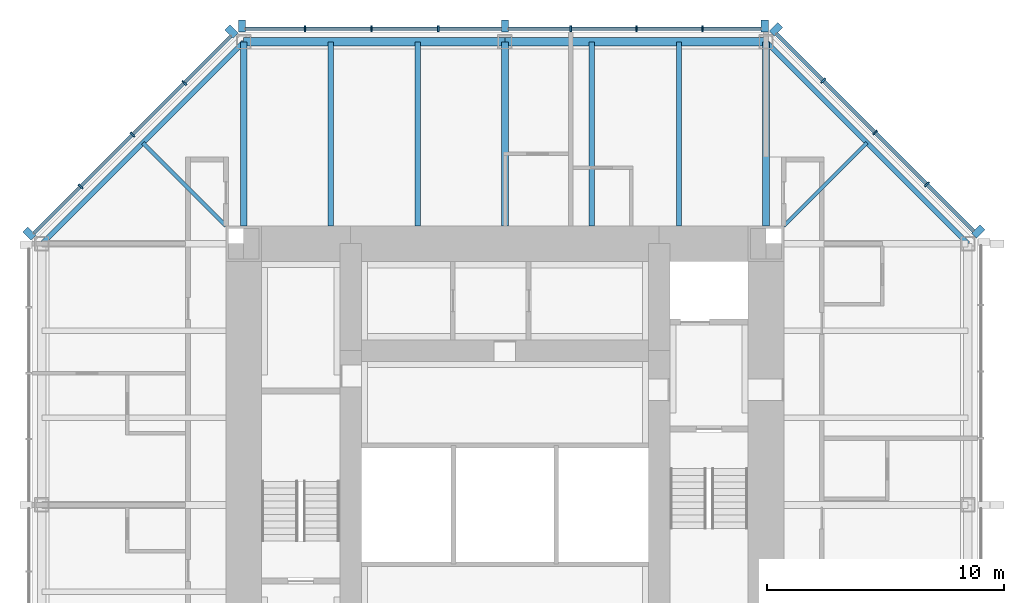
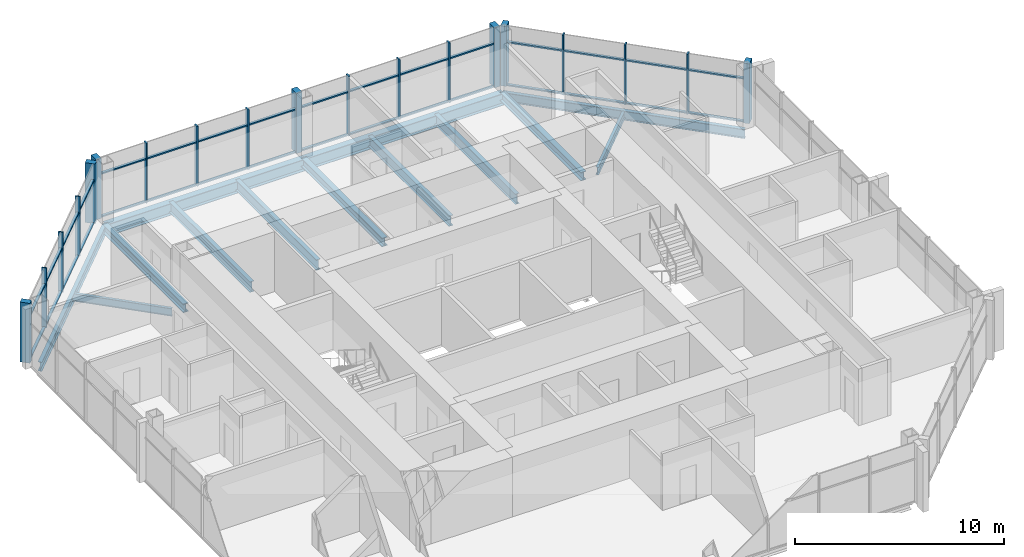
# One storey, part 5 of 11: 51 members, 13 beams, 3 elements without a shape of their own.
"""IFC4 building model written with IfcOpenShell, lengths in metres."""

from ifc_helpers import new_model, si_unit, direction, frame, origin, origin_2d, place, context, subcontext, project, spatial, rectangle, i_section, extrude, material, material_profile, profile_set, type_object, element, aggregate, save


model = new_model("IFC4")

# Units and contexts
model_context = context("Model", 3, precision=1e-05, world=origin(), true_north=direction((0.0, 1.0)))
body_context = subcontext(model_context, "Body", "Model", "MODEL_VIEW")
ifc_project = project(units=[si_unit("LENGTHUNIT", "METRE"), si_unit("AREAUNIT", "SQUARE_METRE"), si_unit("VOLUMEUNIT", "CUBIC_METRE"), si_unit("PLANEANGLEUNIT", "RADIAN"), si_unit("MASSUNIT", "GRAM", prefix="KILO")], contexts=[model_context])

# Site, building, storey
site_placement = place(None, origin())
site = spatial("IfcSite", under=ifc_project, at=site_placement, CompositionType="ELEMENT")
building_placement = place(site_placement, origin())
building = spatial("IfcBuilding", under=site, at=building_placement, Name="Trevanion Tower", CompositionType="ELEMENT")
storey_placement = place(building_placement, frame((0.0, 0.0, 246.699951171875)))
storey = spatial("IfcBuildingStorey", under=building, at=storey_placement, Name="L60", CompositionType="ELEMENT", Elevation=246.699951171875)

# Beams
ifc_material_1 = material(Name="Steel ASTM A992 Grade 50", Category="steel")
ifc_material_profile_1 = material_profile(ifc_material_1, i_section(OverallWidth=0.228271484375, OverallDepth=0.607177734375, WebThickness=0.01123046875, FlangeThickness=0.017333984375, at=origin_2d()), Name="W24X76")
ifc_profile_set_1 = profile_set([ifc_material_profile_1], Name="Steel ASTM A992 Grade 50")
beam_type_1 = type_object("IfcBeamType", Name="B11 W24X76", PredefinedType="BEAM", material=ifc_profile_set_1)
for number, where, z_axis, x_axis, name in (
    (1, (7.333251953125, 11.75, -0.493408203125), (0.0, 1.0, 0.0), (-1.0, 0.0, 0.0), "B11 L60"),
    (2, (3.666748046875, 11.75, -0.493408203125), (0.0, 1.0, 0.0), (-1.0, 0.0, 0.0), "B11 L60"),
    (3, (-3.666748046875, 11.75, -0.493408203125), (0.0, 1.0, 0.0), (-1.0, 0.0, 0.0), "B11 L60"),
    (4, (-7.333251953125, 11.75, -0.493408203125), (0.0, 1.0, 0.0), (-1.0, 0.0, 0.0), "B11 L60"),
):
    element("IfcBeam", number, at=place(storey_placement, frame(where, z_axis=z_axis, x_axis=x_axis)), inside=storey, type_object=beam_type_1, Name=name, PredefinedType="BEAM", context=body_context, shape_type="SweptSolid", body=[
        extrude(i_section(OverallWidth=0.228271484375, OverallDepth=0.607177734375, WebThickness=0.01123046875, FlangeThickness=0.017333984375, at=origin_2d()), origin(), (0.0, 0.0, 1.0), 7.75),
    ])
ifc_material_2 = material(Name="Steel ASTM A992 Grade 50", Category="steel")
ifc_material_profile_2 = material_profile(ifc_material_2, i_section(OverallWidth=0.15234375, OverallDepth=0.449462890625, WebThickness=0.007568359375, FlangeThickness=0.0107421875, at=origin_2d()), Name="W18X35")
ifc_profile_set_2 = profile_set([ifc_material_profile_2], Name="Steel ASTM A992 Grade 50")
beam_type_2 = type_object("IfcBeamType", Name="B12 W18X35", PredefinedType="BEAM", material=ifc_profile_set_2)
for number, where, z_axis, x_axis, name in (
    (5, (11.75, 11.75, -0.414794921875), (0.707106781187, 0.707106781187, 0.0), (-0.707106781187, 0.707106781187, 0.0), "B12 L60"),
    (6, (-11.75, 11.75, -0.414794921875), (-0.707106781187, 0.707106781187, 0.0), (-0.707106781187, -0.707106781187, 0.0), "B12 L60"),
):
    element("IfcBeam", number, at=place(storey_placement, frame(where, z_axis=z_axis, x_axis=x_axis)), inside=storey, type_object=beam_type_2, Name=name, PredefinedType="BEAM", context=body_context, shape_type="SweptSolid", body=[
        extrude(i_section(OverallWidth=0.15234375, OverallDepth=0.449462890625, WebThickness=0.007568359375, FlangeThickness=0.0107421875, at=origin_2d()), origin(), (0.0, 0.0, 1.0), 4.94970703125),
    ])

# Curtain wall, members
ifc_material_3 = material(Name="Aluminium and glass", Category="aluminium")
curtain_wall_type = type_object("IfcCurtainWallType", Name="CW3 curtain wall", PredefinedType="USERDEFINED", material=ifc_material_3)
curtain_wall_1_placement = place(storey_placement, origin())
curtain_wall_1 = element("IfcCurtainWall", 7, at=curtain_wall_1_placement, inside=storey, type_object=curtain_wall_type, Name="CW3 L60 1", ObjectType="UNITISED CURTAIN WALL", PredefinedType="USERDEFINED")
ifc_material_4 = material(Name="Aluminium extrusion, anodised bronze", Category="aluminium")
ifc_material_profile_3 = material_profile(ifc_material_4, rectangle(XDim=0.074951171875, YDim=0.25, at=origin_2d()), Name="CW3 mullion")
ifc_profile_set_3 = profile_set([ifc_material_profile_3], Name="Aluminium extrusion, anodised bronze")
member_type_1 = type_object("IfcMemberType", Name="CW3 mullion", PredefinedType="MULLION", material=ifc_profile_set_3)
member_1_placement = place(storey_placement, frame((17.775390625, 13.502197265625, -0.18994140625), z_axis=(0.0, 0.0, 1.0), x_axis=(-0.707106781187, 0.707106781187, 0.0)))
member_1 = element("IfcMember", 8, at=member_1_placement, type_object=member_type_1, Name="CW3 mullion 2", PredefinedType="MULLION", context=body_context, shape_type="SweptSolid", body=[
    extrude(rectangle(XDim=0.074951171875, YDim=0.25, at=origin_2d()), origin(), (0.0, 0.0, 1.0), 3.5),
])
member_2_placement = place(storey_placement, frame((15.593017578125, 15.684814453125, -0.18994140625), z_axis=(0.0, 0.0, 1.0), x_axis=(-0.707106781187, 0.707106781187, 0.0)))
member_2 = element("IfcMember", 9, at=member_2_placement, type_object=member_type_1, Name="CW3 mullion 3", PredefinedType="MULLION", context=body_context, shape_type="SweptSolid", body=[
    extrude(rectangle(XDim=0.074951171875, YDim=0.25, at=origin_2d()), origin(), (0.0, 0.0, 1.0), 3.5),
])
member_3_placement = place(storey_placement, frame((13.410400390625, 17.867431640625, -0.18994140625), z_axis=(0.0, 0.0, 1.0), x_axis=(-0.707106781187, 0.707106781187, 0.0)))
member_3 = element("IfcMember", 10, at=member_3_placement, type_object=member_type_1, Name="CW3 mullion 4", PredefinedType="MULLION", context=body_context, shape_type="SweptSolid", body=[
    extrude(rectangle(XDim=0.074951171875, YDim=0.25, at=origin_2d()), origin(), (0.0, 0.0, 1.0), 3.5),
])

curtain_wall_2_placement = place(storey_placement, origin())
curtain_wall_2 = element("IfcCurtainWall", 11, at=curtain_wall_2_placement, inside=storey, type_object=curtain_wall_type, Name="CW3 L60 2", ObjectType="UNITISED CURTAIN WALL", PredefinedType="USERDEFINED")
member_4_placement = place(storey_placement, frame((8.323486328125, 20.050048828125, -0.18994140625), z_axis=(0.0, 0.0, 1.0), x_axis=(-1.0, 0.0, 0.0)))
member_4 = element("IfcMember", 12, at=member_4_placement, type_object=member_type_1, Name="CW3 mullion 2", PredefinedType="MULLION", context=body_context, shape_type="SweptSolid", body=[
    extrude(rectangle(XDim=0.074951171875, YDim=0.25, at=origin_2d()), origin(), (0.0, 0.0, 1.0), 3.5),
])
member_5_placement = place(storey_placement, frame((5.548828125, 20.050048828125, -0.18994140625), z_axis=(0.0, 0.0, 1.0), x_axis=(-1.0, 0.0, 0.0)))
member_5 = element("IfcMember", 13, at=member_5_placement, type_object=member_type_1, Name="CW3 mullion 3", PredefinedType="MULLION", context=body_context, shape_type="SweptSolid", body=[
    extrude(rectangle(XDim=0.074951171875, YDim=0.25, at=origin_2d()), origin(), (0.0, 0.0, 1.0), 3.5),
])
member_6_placement = place(storey_placement, frame((2.7744140625, 20.050048828125, -0.18994140625), z_axis=(0.0, 0.0, 1.0), x_axis=(-1.0, 0.0, 0.0)))
member_6 = element("IfcMember", 14, at=member_6_placement, type_object=member_type_1, Name="CW3 mullion 4", PredefinedType="MULLION", context=body_context, shape_type="SweptSolid", body=[
    extrude(rectangle(XDim=0.074951171875, YDim=0.25, at=origin_2d()), origin(), (0.0, 0.0, 1.0), 3.5),
])
member_7_placement = place(storey_placement, frame((-2.806884765625, 20.050048828125, -0.18994140625), z_axis=(0.0, 0.0, 1.0), x_axis=(-1.0, 0.0, 0.0)))
member_7 = element("IfcMember", 15, at=member_7_placement, type_object=member_type_1, Name="CW3 mullion 6", PredefinedType="MULLION", context=body_context, shape_type="SweptSolid", body=[
    extrude(rectangle(XDim=0.074951171875, YDim=0.25, at=origin_2d()), origin(), (0.0, 0.0, 1.0), 3.5),
])
member_8_placement = place(storey_placement, frame((-5.614013671875, 20.050048828125, -0.18994140625), z_axis=(0.0, 0.0, 1.0), x_axis=(-1.0, 0.0, 0.0)))
member_8 = element("IfcMember", 16, at=member_8_placement, type_object=member_type_1, Name="CW3 mullion 7", PredefinedType="MULLION", context=body_context, shape_type="SweptSolid", body=[
    extrude(rectangle(XDim=0.074951171875, YDim=0.25, at=origin_2d()), origin(), (0.0, 0.0, 1.0), 3.5),
])
member_9_placement = place(storey_placement, frame((-8.4208984375, 20.050048828125, -0.18994140625), z_axis=(0.0, 0.0, 1.0), x_axis=(-1.0, 0.0, 0.0)))
member_9 = element("IfcMember", 17, at=member_9_placement, type_object=member_type_1, Name="CW3 mullion 8", PredefinedType="MULLION", context=body_context, shape_type="SweptSolid", body=[
    extrude(rectangle(XDim=0.074951171875, YDim=0.25, at=origin_2d()), origin(), (0.0, 0.0, 1.0), 3.5),
])

curtain_wall_3_placement = place(storey_placement, origin())
curtain_wall_3 = element("IfcCurtainWall", 18, at=curtain_wall_3_placement, inside=storey, type_object=curtain_wall_type, Name="CW3 L60 3", ObjectType="UNITISED CURTAIN WALL", PredefinedType="USERDEFINED")
member_10_placement = place(storey_placement, frame((-13.502197265625, 17.775390625, -0.18994140625), z_axis=(0.0, 0.0, 1.0), x_axis=(-0.707106781187, -0.707106781187, 0.0)))
member_10 = element("IfcMember", 19, at=member_10_placement, type_object=member_type_1, Name="CW3 mullion 2", PredefinedType="MULLION", context=body_context, shape_type="SweptSolid", body=[
    extrude(rectangle(XDim=0.074951171875, YDim=0.25, at=origin_2d()), origin(), (0.0, 0.0, 1.0), 3.5),
])
member_11_placement = place(storey_placement, frame((-15.684814453125, 15.593017578125, -0.18994140625), z_axis=(0.0, 0.0, 1.0), x_axis=(-0.707106781187, -0.707106781187, 0.0)))
member_11 = element("IfcMember", 20, at=member_11_placement, type_object=member_type_1, Name="CW3 mullion 3", PredefinedType="MULLION", context=body_context, shape_type="SweptSolid", body=[
    extrude(rectangle(XDim=0.074951171875, YDim=0.25, at=origin_2d()), origin(), (0.0, 0.0, 1.0), 3.5),
])
member_12_placement = place(storey_placement, frame((-17.867431640625, 13.410400390625, -0.18994140625), z_axis=(0.0, 0.0, 1.0), x_axis=(-0.707106781187, -0.707106781187, 0.0)))
member_12 = element("IfcMember", 21, at=member_12_placement, type_object=member_type_1, Name="CW3 mullion 4", PredefinedType="MULLION", context=body_context, shape_type="SweptSolid", body=[
    extrude(rectangle(XDim=0.074951171875, YDim=0.25, at=origin_2d()), origin(), (0.0, 0.0, 1.0), 3.5),
])

# Member
ifc_material_5 = material(Name="Aluminium extrusion, anodised bronze", Category="aluminium")
ifc_material_profile_4 = material_profile(ifc_material_5, rectangle(XDim=0.300048828125, YDim=0.5, at=origin_2d()), Name="CW3 pier mullion")
ifc_profile_set_4 = profile_set([ifc_material_profile_4], Name="Aluminium extrusion, anodised bronze")
member_type_2 = type_object("IfcMemberType", Name="CW3 pier mullion", PredefinedType="MULLION", material=ifc_profile_set_4)
member_13_placement = place(storey_placement, frame((19.9404296875, 11.51416015625, -0.18994140625), z_axis=(0.0, 0.0, 1.0), x_axis=(-0.707106781187, 0.707106781187, 0.0)))
member_13 = element("IfcMember", 22, at=member_13_placement, type_object=member_type_2, Name="CW3 pier mullion 1", PredefinedType="MULLION", context=body_context, shape_type="SweptSolid", body=[
    extrude(rectangle(XDim=0.300048828125, YDim=0.5, at=origin_2d()), origin(), (0.0, 0.0, 1.0), 3.5),
])

member_14_placement = place(storey_placement, frame((11.42236328125, 20.0322265625, -0.18994140625), z_axis=(0.0, 0.0, 1.0), x_axis=(-0.707106781187, 0.707106781187, 0.0)))
member_14 = element("IfcMember", 23, at=member_14_placement, type_object=member_type_2, Name="CW3 pier mullion 5", PredefinedType="MULLION", context=body_context, shape_type="SweptSolid", body=[
    extrude(rectangle(XDim=0.300048828125, YDim=0.5, at=origin_2d()), origin(), (0.0, 0.0, 1.0), 3.5),
])

member_15_placement = place(storey_placement, frame((10.94775390625, 20.175048828125, -0.18994140625), z_axis=(0.0, 0.0, 1.0), x_axis=(-1.0, 0.0, 0.0)))
member_15 = element("IfcMember", 24, at=member_15_placement, type_object=member_type_2, Name="CW3 pier mullion 1", PredefinedType="MULLION", context=body_context, shape_type="SweptSolid", body=[
    extrude(rectangle(XDim=0.300048828125, YDim=0.5, at=origin_2d()), origin(), (0.0, 0.0, 1.0), 3.5),
])

member_16_placement = place(storey_placement, frame((0.0, 20.175048828125, -0.18994140625), z_axis=(0.0, 0.0, 1.0), x_axis=(-1.0, 0.0, 0.0)))
member_16 = element("IfcMember", 25, at=member_16_placement, type_object=member_type_2, Name="CW3 pier mullion 5", PredefinedType="MULLION", context=body_context, shape_type="SweptSolid", body=[
    extrude(rectangle(XDim=0.300048828125, YDim=0.5, at=origin_2d()), origin(), (0.0, 0.0, 1.0), 3.5),
])

member_17_placement = place(storey_placement, frame((-11.077880859375, 20.175048828125, -0.18994140625), z_axis=(0.0, 0.0, 1.0), x_axis=(-1.0, 0.0, 0.0)))
member_17 = element("IfcMember", 26, at=member_17_placement, type_object=member_type_2, Name="CW3 pier mullion 9", PredefinedType="MULLION", context=body_context, shape_type="SweptSolid", body=[
    extrude(rectangle(XDim=0.300048828125, YDim=0.5, at=origin_2d()), origin(), (0.0, 0.0, 1.0), 3.5),
])

member_18_placement = place(storey_placement, frame((-11.51416015625, 19.9404296875, -0.18994140625), z_axis=(0.0, 0.0, 1.0), x_axis=(-0.707106781187, -0.707106781187, 0.0)))
member_18 = element("IfcMember", 27, at=member_18_placement, type_object=member_type_2, Name="CW3 pier mullion 1", PredefinedType="MULLION", context=body_context, shape_type="SweptSolid", body=[
    extrude(rectangle(XDim=0.300048828125, YDim=0.5, at=origin_2d()), origin(), (0.0, 0.0, 1.0), 3.5),
])

member_19_placement = place(storey_placement, frame((-20.0322265625, 11.42236328125, -0.18994140625), z_axis=(0.0, 0.0, 1.0), x_axis=(-0.707106781187, -0.707106781187, 0.0)))
member_19 = element("IfcMember", 28, at=member_19_placement, type_object=member_type_2, Name="CW3 pier mullion 5", PredefinedType="MULLION", context=body_context, shape_type="SweptSolid", body=[
    extrude(rectangle(XDim=0.300048828125, YDim=0.5, at=origin_2d()), origin(), (0.0, 0.0, 1.0), 3.5),
])

ifc_material_6 = material(Name="Aluminium extrusion, anodised bronze", Category="aluminium")
ifc_material_profile_5 = material_profile(ifc_material_6, rectangle(XDim=0.14990234375, YDim=0.074951171875, at=origin_2d()), Name="CW3 transom")
ifc_profile_set_5 = profile_set([ifc_material_profile_5], Name="Aluminium extrusion, anodised bronze")
member_type_3 = type_object("IfcMemberType", Name="CW3 transom", PredefinedType="USERDEFINED", material=ifc_profile_set_5)
member_20_placement = place(storey_placement, frame((19.745849609375, 11.531982421875, -0.15234375), z_axis=(-0.707106781187, 0.707106781187, 0.0), x_axis=(-0.707106781187, -0.707106781187, 0.0)))
member_20 = element("IfcMember", 29, at=member_20_placement, type_object=member_type_3, Name="CW3 transom 1.1", ObjectType="TRANSOM", PredefinedType="USERDEFINED", context=body_context, shape_type="SweptSolid", body=[
    extrude(rectangle(XDim=0.14990234375, YDim=0.074951171875, at=origin_2d()), origin(), (0.0, 0.0, 1.0), 2.7490234375),
])

member_21_placement = place(storey_placement, frame((19.745849609375, 11.531982421875, 2.360107421875), z_axis=(-0.707106781187, 0.707106781187, 0.0), x_axis=(-0.707106781187, -0.707106781187, 0.0)))
member_21 = element("IfcMember", 30, at=member_21_placement, type_object=member_type_3, Name="CW3 transom 1.2", ObjectType="TRANSOM", PredefinedType="USERDEFINED", context=body_context, shape_type="SweptSolid", body=[
    extrude(rectangle(XDim=0.14990234375, YDim=0.074951171875, at=origin_2d()), origin(), (0.0, 0.0, 1.0), 2.7490234375),
])

member_22_placement = place(storey_placement, frame((17.7490234375, 13.52880859375, -0.15234375), z_axis=(-0.707106781187, 0.707106781187, 0.0), x_axis=(-0.707106781187, -0.707106781187, 0.0)))
member_22 = element("IfcMember", 31, at=member_22_placement, type_object=member_type_3, Name="CW3 transom 2.1", ObjectType="TRANSOM", PredefinedType="USERDEFINED", context=body_context, shape_type="SweptSolid", body=[
    extrude(rectangle(XDim=0.14990234375, YDim=0.074951171875, at=origin_2d()), origin(), (0.0, 0.0, 1.0), 3.01171875),
])

member_23_placement = place(storey_placement, frame((17.7490234375, 13.52880859375, 2.360107421875), z_axis=(-0.707106781187, 0.707106781187, 0.0), x_axis=(-0.707106781187, -0.707106781187, 0.0)))
member_23 = element("IfcMember", 32, at=member_23_placement, type_object=member_type_3, Name="CW3 transom 2.2", ObjectType="TRANSOM", PredefinedType="USERDEFINED", context=body_context, shape_type="SweptSolid", body=[
    extrude(rectangle(XDim=0.14990234375, YDim=0.074951171875, at=origin_2d()), origin(), (0.0, 0.0, 1.0), 3.01171875),
])

member_24_placement = place(storey_placement, frame((15.56640625, 15.71142578125, -0.15234375), z_axis=(-0.707106781187, 0.707106781187, 0.0), x_axis=(-0.707106781187, -0.707106781187, 0.0)))
member_24 = element("IfcMember", 33, at=member_24_placement, type_object=member_type_3, Name="CW3 transom 3.1", ObjectType="TRANSOM", PredefinedType="USERDEFINED", context=body_context, shape_type="SweptSolid", body=[
    extrude(rectangle(XDim=0.14990234375, YDim=0.074951171875, at=origin_2d()), origin(), (0.0, 0.0, 1.0), 3.011474609375),
])

member_25_placement = place(storey_placement, frame((15.56640625, 15.71142578125, 2.360107421875), z_axis=(-0.707106781187, 0.707106781187, 0.0), x_axis=(-0.707106781187, -0.707106781187, 0.0)))
member_25 = element("IfcMember", 34, at=member_25_placement, type_object=member_type_3, Name="CW3 transom 3.2", ObjectType="TRANSOM", PredefinedType="USERDEFINED", context=body_context, shape_type="SweptSolid", body=[
    extrude(rectangle(XDim=0.14990234375, YDim=0.074951171875, at=origin_2d()), origin(), (0.0, 0.0, 1.0), 3.011474609375),
])

member_26_placement = place(storey_placement, frame((13.3837890625, 17.89404296875, -0.15234375), z_axis=(-0.707106781187, 0.707106781187, 0.0), x_axis=(-0.707106781187, -0.707106781187, 0.0)))
member_26 = element("IfcMember", 35, at=member_26_placement, type_object=member_type_3, Name="CW3 transom 4.1", ObjectType="TRANSOM", PredefinedType="USERDEFINED", context=body_context, shape_type="SweptSolid", body=[
    extrude(rectangle(XDim=0.14990234375, YDim=0.074951171875, at=origin_2d()), origin(), (0.0, 0.0, 1.0), 2.7490234375),
])

member_27_placement = place(storey_placement, frame((13.3837890625, 17.89404296875, 2.360107421875), z_axis=(-0.707106781187, 0.707106781187, 0.0), x_axis=(-0.707106781187, -0.707106781187, 0.0)))
member_27 = element("IfcMember", 36, at=member_27_placement, type_object=member_type_3, Name="CW3 transom 4.2", ObjectType="TRANSOM", PredefinedType="USERDEFINED", context=body_context, shape_type="SweptSolid", body=[
    extrude(rectangle(XDim=0.14990234375, YDim=0.074951171875, at=origin_2d()), origin(), (0.0, 0.0, 1.0), 2.7490234375),
])

aggregate(curtain_wall_1, [member_13, member_1, member_2, member_3, member_14, member_20, member_21, member_22, member_23, member_24, member_25, member_26, member_27])

member_28_placement = place(storey_placement, frame((10.7978515625, 20.050048828125, -0.15234375), z_axis=(-1.0, 0.0, 0.0), x_axis=(0.0, -1.0, 0.0)))
member_28 = element("IfcMember", 37, at=member_28_placement, type_object=member_type_3, Name="CW3 transom 1.1", ObjectType="TRANSOM", PredefinedType="USERDEFINED", context=body_context, shape_type="SweptSolid", body=[
    extrude(rectangle(XDim=0.14990234375, YDim=0.074951171875, at=origin_2d()), origin(), (0.0, 0.0, 1.0), 2.43701171875),
])

member_29_placement = place(storey_placement, frame((10.7978515625, 20.050048828125, 2.360107421875), z_axis=(-1.0, 0.0, 0.0), x_axis=(0.0, -1.0, 0.0)))
member_29 = element("IfcMember", 38, at=member_29_placement, type_object=member_type_3, Name="CW3 transom 1.2", ObjectType="TRANSOM", PredefinedType="USERDEFINED", context=body_context, shape_type="SweptSolid", body=[
    extrude(rectangle(XDim=0.14990234375, YDim=0.074951171875, at=origin_2d()), origin(), (0.0, 0.0, 1.0), 2.43701171875),
])

member_30_placement = place(storey_placement, frame((8.285888671875, 20.050048828125, -0.15234375), z_axis=(-1.0, 0.0, 0.0), x_axis=(0.0, -1.0, 0.0)))
member_30 = element("IfcMember", 39, at=member_30_placement, type_object=member_type_3, Name="CW3 transom 2.1", ObjectType="TRANSOM", PredefinedType="USERDEFINED", context=body_context, shape_type="SweptSolid", body=[
    extrude(rectangle(XDim=0.14990234375, YDim=0.074951171875, at=origin_2d()), origin(), (0.0, 0.0, 1.0), 2.699462890625),
])

member_31_placement = place(storey_placement, frame((8.285888671875, 20.050048828125, 2.360107421875), z_axis=(-1.0, 0.0, 0.0), x_axis=(0.0, -1.0, 0.0)))
member_31 = element("IfcMember", 40, at=member_31_placement, type_object=member_type_3, Name="CW3 transom 2.2", ObjectType="TRANSOM", PredefinedType="USERDEFINED", context=body_context, shape_type="SweptSolid", body=[
    extrude(rectangle(XDim=0.14990234375, YDim=0.074951171875, at=origin_2d()), origin(), (0.0, 0.0, 1.0), 2.699462890625),
])

member_32_placement = place(storey_placement, frame((5.511474609375, 20.050048828125, -0.15234375), z_axis=(-1.0, 0.0, 0.0), x_axis=(0.0, -1.0, 0.0)))
member_32 = element("IfcMember", 41, at=member_32_placement, type_object=member_type_3, Name="CW3 transom 3.1", ObjectType="TRANSOM", PredefinedType="USERDEFINED", context=body_context, shape_type="SweptSolid", body=[
    extrude(rectangle(XDim=0.14990234375, YDim=0.074951171875, at=origin_2d()), origin(), (0.0, 0.0, 1.0), 2.699462890625),
])

member_33_placement = place(storey_placement, frame((5.511474609375, 20.050048828125, 2.360107421875), z_axis=(-1.0, 0.0, 0.0), x_axis=(0.0, -1.0, 0.0)))
member_33 = element("IfcMember", 42, at=member_33_placement, type_object=member_type_3, Name="CW3 transom 3.2", ObjectType="TRANSOM", PredefinedType="USERDEFINED", context=body_context, shape_type="SweptSolid", body=[
    extrude(rectangle(XDim=0.14990234375, YDim=0.074951171875, at=origin_2d()), origin(), (0.0, 0.0, 1.0), 2.699462890625),
])

member_34_placement = place(storey_placement, frame((2.737060546875, 20.050048828125, -0.15234375), z_axis=(-1.0, 0.0, 0.0), x_axis=(0.0, -1.0, 0.0)))
member_34 = element("IfcMember", 43, at=member_34_placement, type_object=member_type_3, Name="CW3 transom 4.1", ObjectType="TRANSOM", PredefinedType="USERDEFINED", context=body_context, shape_type="SweptSolid", body=[
    extrude(rectangle(XDim=0.14990234375, YDim=0.074951171875, at=origin_2d()), origin(), (0.0, 0.0, 1.0), 2.587158203125),
])

member_35_placement = place(storey_placement, frame((2.737060546875, 20.050048828125, 2.360107421875), z_axis=(-1.0, 0.0, 0.0), x_axis=(0.0, -1.0, 0.0)))
member_35 = element("IfcMember", 44, at=member_35_placement, type_object=member_type_3, Name="CW3 transom 4.2", ObjectType="TRANSOM", PredefinedType="USERDEFINED", context=body_context, shape_type="SweptSolid", body=[
    extrude(rectangle(XDim=0.14990234375, YDim=0.074951171875, at=origin_2d()), origin(), (0.0, 0.0, 1.0), 2.587158203125),
])

member_36_placement = place(storey_placement, frame((-0.14990234375, 20.050048828125, -0.15234375), z_axis=(-1.0, 0.0, 0.0), x_axis=(0.0, -1.0, 0.0)))
member_36 = element("IfcMember", 45, at=member_36_placement, type_object=member_type_3, Name="CW3 transom 5.1", ObjectType="TRANSOM", PredefinedType="USERDEFINED", context=body_context, shape_type="SweptSolid", body=[
    extrude(rectangle(XDim=0.14990234375, YDim=0.074951171875, at=origin_2d()), origin(), (0.0, 0.0, 1.0), 2.619384765625),
])

member_37_placement = place(storey_placement, frame((-0.14990234375, 20.050048828125, 2.360107421875), z_axis=(-1.0, 0.0, 0.0), x_axis=(0.0, -1.0, 0.0)))
member_37 = element("IfcMember", 46, at=member_37_placement, type_object=member_type_3, Name="CW3 transom 5.2", ObjectType="TRANSOM", PredefinedType="USERDEFINED", context=body_context, shape_type="SweptSolid", body=[
    extrude(rectangle(XDim=0.14990234375, YDim=0.074951171875, at=origin_2d()), origin(), (0.0, 0.0, 1.0), 2.619384765625),
])

member_38_placement = place(storey_placement, frame((-2.844482421875, 20.050048828125, -0.15234375), z_axis=(-1.0, 0.0, 0.0), x_axis=(0.0, -1.0, 0.0)))
member_38 = element("IfcMember", 47, at=member_38_placement, type_object=member_type_3, Name="CW3 transom 6.1", ObjectType="TRANSOM", PredefinedType="USERDEFINED", context=body_context, shape_type="SweptSolid", body=[
    extrude(rectangle(XDim=0.14990234375, YDim=0.074951171875, at=origin_2d()), origin(), (0.0, 0.0, 1.0), 2.73193359375),
])

member_39_placement = place(storey_placement, frame((-2.844482421875, 20.050048828125, 2.360107421875), z_axis=(-1.0, 0.0, 0.0), x_axis=(0.0, -1.0, 0.0)))
member_39 = element("IfcMember", 48, at=member_39_placement, type_object=member_type_3, Name="CW3 transom 6.2", ObjectType="TRANSOM", PredefinedType="USERDEFINED", context=body_context, shape_type="SweptSolid", body=[
    extrude(rectangle(XDim=0.14990234375, YDim=0.074951171875, at=origin_2d()), origin(), (0.0, 0.0, 1.0), 2.73193359375),
])

member_40_placement = place(storey_placement, frame((-5.6513671875, 20.050048828125, -0.15234375), z_axis=(-1.0, 0.0, 0.0), x_axis=(0.0, -1.0, 0.0)))
member_40 = element("IfcMember", 49, at=member_40_placement, type_object=member_type_3, Name="CW3 transom 7.1", ObjectType="TRANSOM", PredefinedType="USERDEFINED", context=body_context, shape_type="SweptSolid", body=[
    extrude(rectangle(XDim=0.14990234375, YDim=0.074951171875, at=origin_2d()), origin(), (0.0, 0.0, 1.0), 2.73193359375),
])

member_41_placement = place(storey_placement, frame((-5.6513671875, 20.050048828125, 2.360107421875), z_axis=(-1.0, 0.0, 0.0), x_axis=(0.0, -1.0, 0.0)))
member_41 = element("IfcMember", 50, at=member_41_placement, type_object=member_type_3, Name="CW3 transom 7.2", ObjectType="TRANSOM", PredefinedType="USERDEFINED", context=body_context, shape_type="SweptSolid", body=[
    extrude(rectangle(XDim=0.14990234375, YDim=0.074951171875, at=origin_2d()), origin(), (0.0, 0.0, 1.0), 2.73193359375),
])

member_42_placement = place(storey_placement, frame((-8.45849609375, 20.050048828125, -0.15234375), z_axis=(-1.0, 0.0, 0.0), x_axis=(0.0, -1.0, 0.0)))
member_42 = element("IfcMember", 51, at=member_42_placement, type_object=member_type_3, Name="CW3 transom 8.1", ObjectType="TRANSOM", PredefinedType="USERDEFINED", context=body_context, shape_type="SweptSolid", body=[
    extrude(rectangle(XDim=0.14990234375, YDim=0.074951171875, at=origin_2d()), origin(), (0.0, 0.0, 1.0), 2.46923828125),
])

member_43_placement = place(storey_placement, frame((-8.45849609375, 20.050048828125, 2.360107421875), z_axis=(-1.0, 0.0, 0.0), x_axis=(0.0, -1.0, 0.0)))
member_43 = element("IfcMember", 52, at=member_43_placement, type_object=member_type_3, Name="CW3 transom 8.2", ObjectType="TRANSOM", PredefinedType="USERDEFINED", context=body_context, shape_type="SweptSolid", body=[
    extrude(rectangle(XDim=0.14990234375, YDim=0.074951171875, at=origin_2d()), origin(), (0.0, 0.0, 1.0), 2.46923828125),
])

aggregate(curtain_wall_2, [member_15, member_4, member_5, member_6, member_16, member_7, member_8, member_9, member_17, member_28, member_29, member_30, member_31, member_32, member_33, member_34, member_35, member_36, member_37, member_38, member_39, member_40, member_41, member_42, member_43])

member_44_placement = place(storey_placement, frame((-11.531982421875, 19.745849609375, -0.15234375), z_axis=(-0.707106781187, -0.707106781187, 0.0), x_axis=(0.707106781187, -0.707106781187, 0.0)))
member_44 = element("IfcMember", 53, at=member_44_placement, type_object=member_type_3, Name="CW3 transom 1.1", ObjectType="TRANSOM", PredefinedType="USERDEFINED", context=body_context, shape_type="SweptSolid", body=[
    extrude(rectangle(XDim=0.14990234375, YDim=0.074951171875, at=origin_2d()), origin(), (0.0, 0.0, 1.0), 2.7490234375),
])

member_45_placement = place(storey_placement, frame((-11.531982421875, 19.745849609375, 2.360107421875), z_axis=(-0.707106781187, -0.707106781187, 0.0), x_axis=(0.707106781187, -0.707106781187, 0.0)))
member_45 = element("IfcMember", 54, at=member_45_placement, type_object=member_type_3, Name="CW3 transom 1.2", ObjectType="TRANSOM", PredefinedType="USERDEFINED", context=body_context, shape_type="SweptSolid", body=[
    extrude(rectangle(XDim=0.14990234375, YDim=0.074951171875, at=origin_2d()), origin(), (0.0, 0.0, 1.0), 2.7490234375),
])

member_46_placement = place(storey_placement, frame((-13.52880859375, 17.7490234375, -0.15234375), z_axis=(-0.707106781187, -0.707106781187, 0.0), x_axis=(0.707106781187, -0.707106781187, 0.0)))
member_46 = element("IfcMember", 55, at=member_46_placement, type_object=member_type_3, Name="CW3 transom 2.1", ObjectType="TRANSOM", PredefinedType="USERDEFINED", context=body_context, shape_type="SweptSolid", body=[
    extrude(rectangle(XDim=0.14990234375, YDim=0.074951171875, at=origin_2d()), origin(), (0.0, 0.0, 1.0), 3.01171875),
])

member_47_placement = place(storey_placement, frame((-13.52880859375, 17.7490234375, 2.360107421875), z_axis=(-0.707106781187, -0.707106781187, 0.0), x_axis=(0.707106781187, -0.707106781187, 0.0)))
member_47 = element("IfcMember", 56, at=member_47_placement, type_object=member_type_3, Name="CW3 transom 2.2", ObjectType="TRANSOM", PredefinedType="USERDEFINED", context=body_context, shape_type="SweptSolid", body=[
    extrude(rectangle(XDim=0.14990234375, YDim=0.074951171875, at=origin_2d()), origin(), (0.0, 0.0, 1.0), 3.01171875),
])

member_48_placement = place(storey_placement, frame((-15.71142578125, 15.56640625, -0.15234375), z_axis=(-0.707106781187, -0.707106781187, 0.0), x_axis=(0.707106781187, -0.707106781187, 0.0)))
member_48 = element("IfcMember", 57, at=member_48_placement, type_object=member_type_3, Name="CW3 transom 3.1", ObjectType="TRANSOM", PredefinedType="USERDEFINED", context=body_context, shape_type="SweptSolid", body=[
    extrude(rectangle(XDim=0.14990234375, YDim=0.074951171875, at=origin_2d()), origin(), (0.0, 0.0, 1.0), 3.011474609375),
])

member_49_placement = place(storey_placement, frame((-15.71142578125, 15.56640625, 2.360107421875), z_axis=(-0.707106781187, -0.707106781187, 0.0), x_axis=(0.707106781187, -0.707106781187, 0.0)))
member_49 = element("IfcMember", 58, at=member_49_placement, type_object=member_type_3, Name="CW3 transom 3.2", ObjectType="TRANSOM", PredefinedType="USERDEFINED", context=body_context, shape_type="SweptSolid", body=[
    extrude(rectangle(XDim=0.14990234375, YDim=0.074951171875, at=origin_2d()), origin(), (0.0, 0.0, 1.0), 3.011474609375),
])

member_50_placement = place(storey_placement, frame((-17.89404296875, 13.3837890625, -0.15234375), z_axis=(-0.707106781187, -0.707106781187, 0.0), x_axis=(0.707106781187, -0.707106781187, 0.0)))
member_50 = element("IfcMember", 59, at=member_50_placement, type_object=member_type_3, Name="CW3 transom 4.1", ObjectType="TRANSOM", PredefinedType="USERDEFINED", context=body_context, shape_type="SweptSolid", body=[
    extrude(rectangle(XDim=0.14990234375, YDim=0.074951171875, at=origin_2d()), origin(), (0.0, 0.0, 1.0), 2.7490234375),
])

member_51_placement = place(storey_placement, frame((-17.89404296875, 13.3837890625, 2.360107421875), z_axis=(-0.707106781187, -0.707106781187, 0.0), x_axis=(0.707106781187, -0.707106781187, 0.0)))
member_51 = element("IfcMember", 60, at=member_51_placement, type_object=member_type_3, Name="CW3 transom 4.2", ObjectType="TRANSOM", PredefinedType="USERDEFINED", context=body_context, shape_type="SweptSolid", body=[
    extrude(rectangle(XDim=0.14990234375, YDim=0.074951171875, at=origin_2d()), origin(), (0.0, 0.0, 1.0), 2.7490234375),
])

aggregate(curtain_wall_3, [member_18, member_10, member_11, member_12, member_19, member_44, member_45, member_46, member_47, member_48, member_49, member_50, member_51])

# Beams
ifc_material_7 = material(Name="Steel ASTM A992 Grade 50", Category="steel")
ifc_material_profile_6 = material_profile(ifc_material_7, i_section(OverallWidth=0.28955078125, OverallDepth=0.508056640625, WebThickness=0.022705078125, FlangeThickness=0.040283203125, at=origin_2d()), Name="W18X175")
ifc_profile_set_6 = profile_set([ifc_material_profile_6], Name="Steel ASTM A992 Grade 50")
beam_type_3 = type_object("IfcBeamType", Name="G6 W18X175", PredefinedType="BEAM", material=ifc_profile_set_6)
for number, where, z_axis, x_axis, name in (
    (61, (11.0, 11.75, -0.44384765625), (0.0, 1.0, 0.0), (-1.0, 0.0, 0.0), "G6 L60"),
    (62, (0.0, 11.75, -0.44384765625), (0.0, 1.0, 0.0), (-1.0, 0.0, 0.0), "G6 L60"),
    (63, (-11.0, 11.75, -0.44384765625), (0.0, 1.0, 0.0), (-1.0, 0.0, 0.0), "G6 L60"),
):
    element("IfcBeam", number, at=place(storey_placement, frame(where, z_axis=z_axis, x_axis=x_axis)), inside=storey, type_object=beam_type_3, Name=name, PredefinedType="BEAM", context=body_context, shape_type="SweptSolid", body=[
        extrude(i_section(OverallWidth=0.28955078125, OverallDepth=0.508056640625, WebThickness=0.022705078125, FlangeThickness=0.040283203125, at=origin_2d()), origin(), (0.0, 0.0, 1.0), 7.75),
    ])
ifc_material_8 = material(Name="Steel ASTM A992 Grade 50", Category="steel")
ifc_material_profile_7 = material_profile(ifc_material_8, i_section(OverallWidth=0.355712890625, OverallDepth=0.696044921875, WebThickness=0.015380859375, FlangeThickness=0.024658203125, at=origin_2d()), Name="W27X146")
ifc_profile_set_7 = profile_set([ifc_material_profile_7], Name="Steel ASTM A992 Grade 50")
beam_type_4 = type_object("IfcBeamType", Name="SB8 W27X146", PredefinedType="SPANDREL", material=ifc_profile_set_7)
for number, where, z_axis, x_axis, name in (
    (64, (11.0, 19.5, -0.537841796875), (-1.0, 0.0, 0.0), (0.0, -1.0, 0.0), "SB8 L60"),
    (65, (0.0, 19.5, -0.537841796875), (-1.0, 0.0, 0.0), (0.0, -1.0, 0.0), "SB8 L60"),
):
    element("IfcBeam", number, at=place(storey_placement, frame(where, z_axis=z_axis, x_axis=x_axis)), inside=storey, type_object=beam_type_4, Name=name, PredefinedType="SPANDREL", context=body_context, shape_type="SweptSolid", body=[
        extrude(i_section(OverallWidth=0.355712890625, OverallDepth=0.696044921875, WebThickness=0.015380859375, FlangeThickness=0.024658203125, at=origin_2d()), origin(), (0.0, 0.0, 1.0), 11.0),
    ])
ifc_material_9 = material(Name="Steel ASTM A992 Grade 50", Category="steel")
ifc_material_profile_8 = material_profile(ifc_material_9, i_section(OverallWidth=0.209228515625, OverallDepth=0.533447265625, WebThickness=0.01025390625, FlangeThickness=0.015625, at=origin_2d()), Name="W21X62")
ifc_profile_set_8 = profile_set([ifc_material_profile_8], Name="Steel ASTM A992 Grade 50")
beam_type_5 = type_object("IfcBeamType", Name="SB9 W21X62", PredefinedType="SPANDREL", material=ifc_profile_set_8)
for number, where, z_axis, x_axis, name in (
    (66, (19.5, 11.0, -0.45654296875), (-0.707106781187, 0.707106781187, 0.0), (-0.707106781187, -0.707106781187, 0.0), "SB9 L60"),
    (67, (-11.0, 19.5, -0.45654296875), (-0.707106781187, -0.707106781187, 0.0), (0.707106781187, -0.707106781187, 0.0), "SB9 L60"),
):
    element("IfcBeam", number, at=place(storey_placement, frame(where, z_axis=z_axis, x_axis=x_axis)), inside=storey, type_object=beam_type_5, Name=name, PredefinedType="SPANDREL", context=body_context, shape_type="SweptSolid", body=[
        extrude(i_section(OverallWidth=0.209228515625, OverallDepth=0.533447265625, WebThickness=0.01025390625, FlangeThickness=0.015625, at=origin_2d()), origin(), (0.0, 0.0, 1.0), 12.020751953125),
    ])

save(model, "model.ifc")
